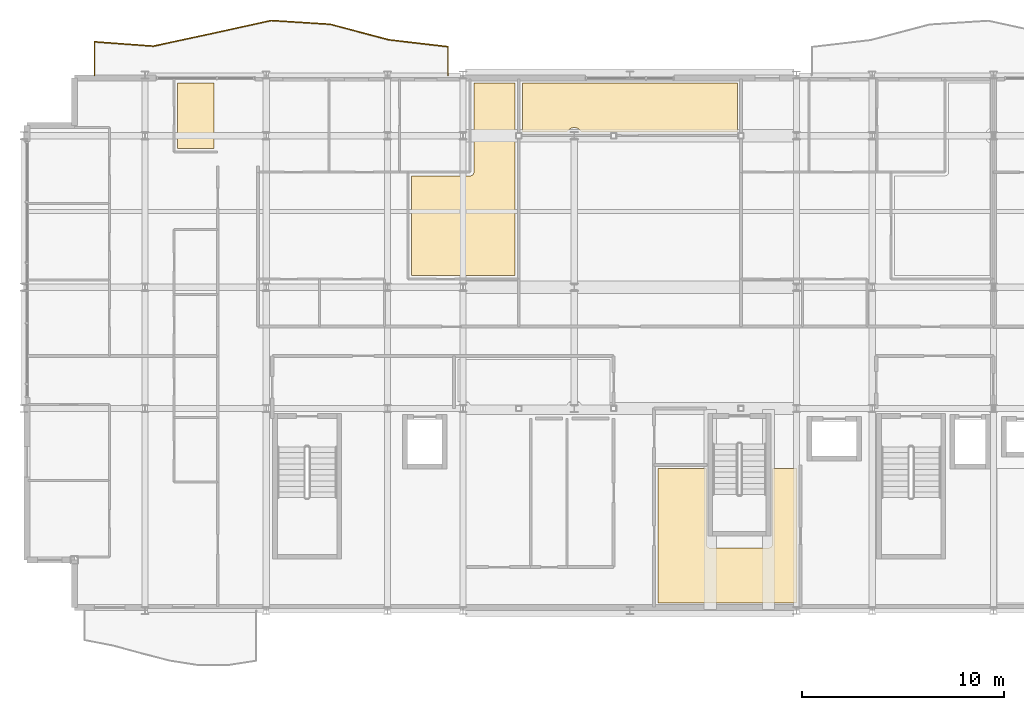
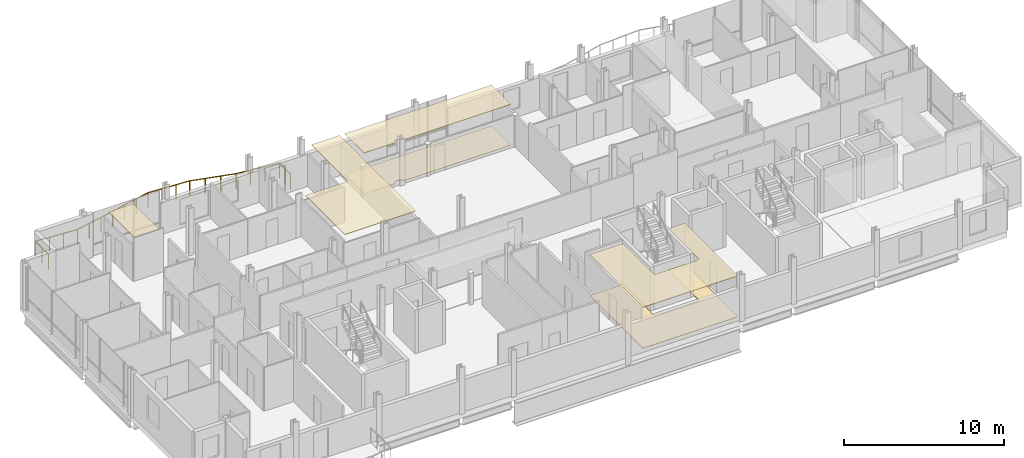
# One storey, part 33 of 35: 6 coverings, 1 railing.
"""IFC4 building model written with IfcOpenShell, lengths in metres."""

from ifc_helpers import new_model, si_unit, direction, frame, origin, origin_2d, place, context, subcontext, project, spatial, polyline, circle, outline, extrude, material, layer, layer_set, type_object, element, save


model = new_model("IFC4")

# Units and contexts
model_context = context("Model", 3, precision=1e-05, world=origin(), true_north=direction((0.0, 1.0)))
body_context = subcontext(model_context, "Body", "Model", "MODEL_VIEW")
ifc_project = project(units=[si_unit("LENGTHUNIT", "METRE"), si_unit("AREAUNIT", "SQUARE_METRE"), si_unit("VOLUMEUNIT", "CUBIC_METRE"), si_unit("PLANEANGLEUNIT", "RADIAN"), si_unit("MASSUNIT", "GRAM", prefix="KILO")], contexts=[model_context])

# Site, building, storey
site_placement = place(None, origin())
site = spatial("IfcSite", under=ifc_project, at=site_placement, CompositionType="ELEMENT")
building_placement = place(site_placement, origin())
building = spatial("IfcBuilding", under=site, at=building_placement, Name="Brevholm Reach", CompositionType="ELEMENT")
storey_placement = place(building_placement, frame((0.0, 0.0, 214.39990234375)))
storey = spatial("IfcBuildingStorey", under=building, at=storey_placement, Name="L65", CompositionType="ELEMENT", Elevation=214.39990234375)

# Coverings
ifc_material_1 = material(Name="Perforated Mineral-Fibre Class-A Acoustic Suspended Ceiling", Category="gypsum")
ifc_layer_1 = layer(ifc_material_1, 0.044921875)
ifc_layer_set_1 = layer_set([ifc_layer_1], Name="Perforated Mineral-Fibre Class-A Acoustic Suspended Ceiling")
covering_type_1 = type_object("IfcCoveringType", Name="COV-CLG-AC", PredefinedType="CEILING", material=ifc_layer_set_1)
covering_1_placement = place(storey_placement, frame((0.0, 0.0, 3.114990234375)))
element("IfcCovering", 1, at=covering_1_placement, inside=storey, type_object=covering_type_1, Name="L65 Suspended Ceiling L65-45", PredefinedType="CEILING", context=body_context, shape_type="SweptSolid", body=[
    extrude(outline(polyline([(19.195068359375, 21.51611328125), (22.1025390625, 21.516845703125), (22.1201171875, 21.517822265625), (22.1376953125, 21.5205078125), (22.15478515625, 21.524658203125), (22.17138671875, 21.530517578125), (22.1875, 21.5380859375), (22.202392578125, 21.547119140625), (22.216796875, 21.557861328125), (22.229736328125, 21.569580078125), (22.24169921875, 21.582763671875), (22.252197265625, 21.596923828125), (22.26123046875, 21.612060546875), (22.268798828125, 21.6279296875), (22.274658203125, 21.64453125), (22.279052734375, 21.66162109375), (22.281494140625, 21.67919921875), (22.282470703125, 21.69677734375), (22.283935546875, 26.1201171875), (24.320068359375, 26.1201171875), (24.320068359375, 16.580078125), (19.195068359375, 16.580078125), (19.195068359375, 21.51611328125)])), origin(), (0.0, 0.0, 1.0), 0.045166015625),
])
ifc_material_2 = material(Name="Moisture-Resistant Skimmed Gypsum Plasterboard Ceiling", Category="gypsum")
ifc_layer_2 = layer(ifc_material_2, 0.030029296875)
ifc_layer_set_2 = layer_set([ifc_layer_2], Name="Moisture-Resistant Skimmed Gypsum Plasterboard Ceiling")
covering_type_2 = type_object("IfcCoveringType", Name="COV-CLG-GYP", PredefinedType="CEILING", material=ifc_layer_set_2)
covering_2_placement = place(storey_placement, frame((0.0, 0.0, 3.130126953125)))
element("IfcCovering", 2, at=covering_2_placement, inside=storey, type_object=covering_type_2, Name="L65 Suspended Ceiling L65-14", PredefinedType="CEILING", context=body_context, shape_type="SweptSolid", body=[
    extrude(outline(polyline([(33.7958984375, 7.02001953125), (33.7958984375, 3.280029296875), (33.796875, 3.262451171875), (33.799560546875, 3.244873046875), (33.8037109375, 3.227783203125), (33.809814453125, 3.211181640625), (33.8173828125, 3.195068359375), (33.826416015625, 3.179931640625), (33.8369140625, 3.165771484375), (33.8486328125, 3.152587890625), (33.852783203125, 3.148681640625), (33.86572265625, 3.136962890625), (33.8798828125, 3.126220703125), (33.895263671875, 3.1171875), (33.9111328125, 3.109619140625), (33.927734375, 3.103759765625), (33.94482421875, 3.099609375), (33.96240234375, 3.096923828125), (33.97998046875, 3.095947265625), (36.87255859375, 3.096923828125), (36.89013671875, 3.097900390625), (36.90771484375, 3.100341796875), (36.9248046875, 3.104736328125), (36.94140625, 3.110595703125), (36.95751953125, 3.1181640625), (36.972412109375, 3.127197265625), (36.98681640625, 3.1376953125), (36.999755859375, 3.149658203125), (37.01171875, 3.16259765625), (37.022216796875, 3.177001953125), (37.03125, 3.19189453125), (37.038818359375, 3.2080078125), (37.044677734375, 3.224609375), (37.049072265625, 3.24169921875), (37.051513671875, 3.25927734375), (37.052490234375, 3.27685546875), (37.053955078125, 7.02001953125), (38.27001953125, 7.02001953125), (38.27001953125, 0.39892578125), (38.25, 0.39990234375), (38.210693359375, 0.398193359375), (38.172119140625, 0.392333984375), (38.1337890625, 0.3828125), (38.096923828125, 0.36962890625), (38.07666015625, 0.360107421875), (31.384033203125, 0.360107421875), (31.384033203125, 7.02001953125), (33.7958984375, 7.02001953125)])), origin(), (0.0, 0.0, 1.0), 0.030029296875),
])
covering_3_placement = place(storey_placement, frame((0.0, 0.0, 3.130126953125)))
element("IfcCovering", 3, at=covering_3_placement, inside=storey, type_object=covering_type_2, Name="L65 Suspended Ceiling L65-33", PredefinedType="CEILING", context=body_context, shape_type="SweptSolid", body=[
    extrude(outline(polyline([(7.617919921875, 26.1201171875), (9.419921875, 26.1201171875), (9.419921875, 22.8798828125), (7.617919921875, 22.8798828125), (7.617919921875, 26.1201171875)])), origin(), (0.0, 0.0, 1.0), 0.030029296875),
])
covering_4_placement = place(storey_placement, frame((0.0, 0.0, 3.130126953125)))
element("IfcCovering", 4, at=covering_4_placement, inside=storey, type_object=covering_type_2, Name="L65 Suspended Ceiling L65-48", PredefinedType="CEILING", context=body_context, shape_type="SweptSolid", body=[
    extrude(outline(polyline([(29.876220703125, 26.1201171875), (29.8837890625, 26.1171875), (29.922119140625, 26.107666015625), (29.960693359375, 26.101806640625), (30.0, 26.10009765625), (30.039306640625, 26.101806640625), (30.077880859375, 26.107666015625), (30.1162109375, 26.1171875), (30.123779296875, 26.1201171875), (35.320068359375, 26.1201171875), (35.320068359375, 23.68408203125), (27.60498046875, 23.68408203125), (27.602783203125, 23.688720703125), (27.58251953125, 23.72216796875), (27.55908203125, 23.75390625), (27.53271484375, 23.78271484375), (27.50390625, 23.80908203125), (27.47216796875, 23.83251953125), (27.438720703125, 23.852783203125), (27.403076171875, 23.86962890625), (27.3662109375, 23.8828125), (27.327880859375, 23.892333984375), (27.289306640625, 23.898193359375), (27.25, 23.89990234375), (27.210693359375, 23.898193359375), (27.172119140625, 23.892333984375), (27.1337890625, 23.8828125), (27.096923828125, 23.86962890625), (27.061279296875, 23.852783203125), (27.02783203125, 23.83251953125), (26.99609375, 23.80908203125), (26.96728515625, 23.78271484375), (26.94091796875, 23.75390625), (26.91748046875, 23.72216796875), (26.897216796875, 23.688720703125), (26.89501953125, 23.68408203125), (24.68408203125, 23.68408203125), (24.68408203125, 26.1201171875), (29.876220703125, 26.1201171875)])), origin(), (0.0, 0.0, 1.0), 0.030029296875),
])
ifc_material_3 = material(Name="Honed Portland-Aggregate Resin Terrazzo Flooring", Category="concrete")
ifc_layer_3 = layer(ifc_material_3, 0.031982421875)
ifc_layer_set_3 = layer_set([ifc_layer_3], Name="Honed Portland-Aggregate Resin Terrazzo Flooring")
covering_type_3 = type_object("IfcCoveringType", Name="COV-FLR-TRZ", PredefinedType="FLOORING", material=ifc_layer_set_3)
covering_5_placement = place(storey_placement, origin())
element("IfcCovering", 5, at=covering_5_placement, inside=storey, type_object=covering_type_3, Name="L65 Floor Finish L65-14", PredefinedType="FLOORING", context=body_context, shape_type="SweptSolid", body=[
    extrude(outline(polyline([(33.7958984375, 7.02001953125), (33.7958984375, 3.280029296875), (33.796875, 3.262451171875), (33.799560546875, 3.244873046875), (33.8037109375, 3.227783203125), (33.809814453125, 3.211181640625), (33.8173828125, 3.195068359375), (33.826416015625, 3.179931640625), (33.8369140625, 3.165771484375), (33.8486328125, 3.152587890625), (33.852783203125, 3.148681640625), (33.86572265625, 3.136962890625), (33.8798828125, 3.126220703125), (33.895263671875, 3.1171875), (33.9111328125, 3.109619140625), (33.927734375, 3.103759765625), (33.94482421875, 3.099609375), (33.96240234375, 3.096923828125), (33.97998046875, 3.095947265625), (36.87255859375, 3.096923828125), (36.89013671875, 3.097900390625), (36.90771484375, 3.100341796875), (36.9248046875, 3.104736328125), (36.94140625, 3.110595703125), (36.95751953125, 3.1181640625), (36.972412109375, 3.127197265625), (36.98681640625, 3.1376953125), (36.999755859375, 3.149658203125), (37.01171875, 3.16259765625), (37.022216796875, 3.177001953125), (37.03125, 3.19189453125), (37.038818359375, 3.2080078125), (37.044677734375, 3.224609375), (37.049072265625, 3.24169921875), (37.051513671875, 3.25927734375), (37.052490234375, 3.27685546875), (37.053955078125, 7.02001953125), (38.27001953125, 7.02001953125), (38.27001953125, 0.39892578125), (38.25, 0.39990234375), (38.210693359375, 0.398193359375), (38.172119140625, 0.392333984375), (38.1337890625, 0.3828125), (38.096923828125, 0.36962890625), (38.07666015625, 0.360107421875), (31.384033203125, 0.360107421875), (31.384033203125, 7.02001953125), (33.7958984375, 7.02001953125)])), origin(), (0.0, 0.0, 1.0), 0.031982421875),
])
covering_6_placement = place(storey_placement, origin())
element("IfcCovering", 6, at=covering_6_placement, inside=storey, type_object=covering_type_3, Name="L65 Floor Finish L65-48", PredefinedType="FLOORING", context=body_context, shape_type="SweptSolid", body=[
    extrude(outline(polyline([(29.876220703125, 26.1201171875), (29.8837890625, 26.1171875), (29.922119140625, 26.107666015625), (29.960693359375, 26.101806640625), (30.0, 26.10009765625), (30.039306640625, 26.101806640625), (30.077880859375, 26.107666015625), (30.1162109375, 26.1171875), (30.123779296875, 26.1201171875), (35.320068359375, 26.1201171875), (35.320068359375, 23.68408203125), (27.60498046875, 23.68408203125), (27.602783203125, 23.688720703125), (27.58251953125, 23.72216796875), (27.55908203125, 23.75390625), (27.53271484375, 23.78271484375), (27.50390625, 23.80908203125), (27.47216796875, 23.83251953125), (27.438720703125, 23.852783203125), (27.403076171875, 23.86962890625), (27.3662109375, 23.8828125), (27.327880859375, 23.892333984375), (27.289306640625, 23.898193359375), (27.25, 23.89990234375), (27.210693359375, 23.898193359375), (27.172119140625, 23.892333984375), (27.1337890625, 23.8828125), (27.096923828125, 23.86962890625), (27.061279296875, 23.852783203125), (27.02783203125, 23.83251953125), (26.99609375, 23.80908203125), (26.96728515625, 23.78271484375), (26.94091796875, 23.75390625), (26.91748046875, 23.72216796875), (26.897216796875, 23.688720703125), (26.89501953125, 23.68408203125), (24.68408203125, 23.68408203125), (24.68408203125, 26.1201171875), (29.876220703125, 26.1201171875)])), origin(), (0.0, 0.0, 1.0), 0.031982421875),
])

# Railing
ifc_material_4 = material(Name="Brushed Stainless Steel EN 1.4401 and Laminated Glass", Category="steel")
railing_type = type_object("IfcRailingType", Name="RAL-BALC-1150", PredefinedType="BALUSTRADE", material=ifc_material_4)
railing_placement = place(storey_placement, frame((21.0, 26.5, 0.0)))
element("IfcRailing", 7, at=railing_placement, inside=storey, type_object=railing_type, Name="L65 Guard Balustrade RAL-L65-BAL-NW", PredefinedType="BALUSTRADE", context=body_context, shape_type="SweptSolid", body=[
    extrude(circle(Radius=0.02392578125, at=origin_2d()), frame((0.0, 0.0, 1.1259765625), z_axis=(0.0, 1.0, 0.0), x_axis=(-1.0, 0.0, 0.0)), (0.0, 0.0, 1.0), 1.408203125),
    extrude(circle(Radius=0.02392578125, at=origin_2d()), frame((0.0, 1.408203125, 1.1259765625), z_axis=(-0.99329006652, 0.11564965954, 0.0), x_axis=(-0.11564965954, -0.99329006652, 0.0)), (0.0, 0.0, 1.0), 2.9365234375),
    extrude(circle(Radius=0.02392578125, at=origin_2d()), frame((-2.916748046875, 1.747802734375, 1.1259765625), z_axis=(-0.966868735292, 0.255274065889, 0.0), x_axis=(-0.255274065889, -0.966868735292, 0.0)), (0.0, 0.0, 1.0), 3.016357421875),
    extrude(circle(Radius=0.02392578125, at=origin_2d()), frame((-5.833251953125, 2.517822265625, 1.1259765625), z_axis=(-0.997945514781, 0.06406831923, 0.0), x_axis=(-0.06406831923, -0.997945514781, 0.0)), (0.0, 0.0, 1.0), 2.9228515625),
    extrude(circle(Radius=0.02392578125, at=origin_2d()), frame((-8.75, 2.705078125, 1.1259765625), z_axis=(-0.976633143635, -0.214913244715, 0.0), x_axis=(0.214913244715, -0.976633143635, 0.0)), (0.0, 0.0, 1.0), 2.986572265625),
    extrude(circle(Radius=0.02392578125, at=origin_2d()), frame((-11.666748046875, 2.063232421875, 1.1259765625), z_axis=(-0.977699293222, -0.21000974271, 0.0), x_axis=(0.21000974271, -0.977699293222, 0.0)), (0.0, 0.0, 1.0), 2.98291015625),
    extrude(circle(Radius=0.02392578125, at=origin_2d()), frame((-14.583251953125, 1.436767578125, 1.1259765625), z_axis=(-0.997334760815, 0.072961461535, 0.0), x_axis=(-0.072961461535, -0.997334760815, 0.0)), (0.0, 0.0, 1.0), 2.924560546875),
    extrude(circle(Radius=0.02392578125, at=origin_2d()), frame((-17.5, 1.650146484375, 1.1259765625), z_axis=(0.0, -1.0, 0.0), x_axis=(1.0, 0.0, 0.0)), (0.0, 0.0, 1.0), 1.650146484375),
    extrude(circle(Radius=0.02099609375, at=origin_2d()), origin(), (0.0, 0.0, 1.0), 1.101806640625),
    extrude(circle(Radius=0.02099609375, at=origin_2d()), frame((0.0, 0.7041015625, 0.0)), (0.0, 0.0, 1.0), 1.101806640625),
    extrude(circle(Radius=0.02099609375, at=origin_2d()), frame((0.0, 1.408203125, 0.0)), (0.0, 0.0, 1.0), 1.101806640625),
    extrude(circle(Radius=0.02099609375, at=origin_2d()), frame((-0.97216796875, 1.521484375, 0.0)), (0.0, 0.0, 1.0), 1.101806640625),
    extrude(circle(Radius=0.02099609375, at=origin_2d()), frame((-1.944580078125, 1.634521484375, 0.0)), (0.0, 0.0, 1.0), 1.101806640625),
    extrude(circle(Radius=0.02099609375, at=origin_2d()), frame((-2.916748046875, 1.747802734375, 0.0)), (0.0, 0.0, 1.0), 1.101806640625),
    extrude(circle(Radius=0.02099609375, at=origin_2d()), frame((-3.888916015625, 2.00439453125, 0.0)), (0.0, 0.0, 1.0), 1.101806640625),
    extrude(circle(Radius=0.02099609375, at=origin_2d()), frame((-4.861083984375, 2.26123046875, 0.0)), (0.0, 0.0, 1.0), 1.101806640625),
    extrude(circle(Radius=0.02099609375, at=origin_2d()), frame((-5.833251953125, 2.517822265625, 0.0)), (0.0, 0.0, 1.0), 1.101806640625),
    extrude(circle(Radius=0.02099609375, at=origin_2d()), frame((-6.805419921875, 2.580322265625, 0.0)), (0.0, 0.0, 1.0), 1.101806640625),
    extrude(circle(Radius=0.02099609375, at=origin_2d()), frame((-7.77783203125, 2.642578125, 0.0)), (0.0, 0.0, 1.0), 1.101806640625),
    extrude(circle(Radius=0.02099609375, at=origin_2d()), frame((-8.75, 2.705078125, 0.0)), (0.0, 0.0, 1.0), 1.101806640625),
    extrude(circle(Radius=0.02099609375, at=origin_2d()), frame((-9.72216796875, 2.4912109375, 0.0)), (0.0, 0.0, 1.0), 1.101806640625),
    extrude(circle(Radius=0.02099609375, at=origin_2d()), frame((-10.694580078125, 2.277099609375, 0.0)), (0.0, 0.0, 1.0), 1.101806640625),
    extrude(circle(Radius=0.02099609375, at=origin_2d()), frame((-11.666748046875, 2.063232421875, 0.0)), (0.0, 0.0, 1.0), 1.101806640625),
    extrude(circle(Radius=0.02099609375, at=origin_2d()), frame((-12.638916015625, 1.8544921875, 0.0)), (0.0, 0.0, 1.0), 1.101806640625),
    extrude(circle(Radius=0.02099609375, at=origin_2d()), frame((-13.611083984375, 1.6455078125, 0.0)), (0.0, 0.0, 1.0), 1.101806640625),
    extrude(circle(Radius=0.02099609375, at=origin_2d()), frame((-14.583251953125, 1.436767578125, 0.0)), (0.0, 0.0, 1.0), 1.101806640625),
    extrude(circle(Radius=0.02099609375, at=origin_2d()), frame((-15.555419921875, 1.5078125, 0.0)), (0.0, 0.0, 1.0), 1.101806640625),
    extrude(circle(Radius=0.02099609375, at=origin_2d()), frame((-16.52783203125, 1.5791015625, 0.0)), (0.0, 0.0, 1.0), 1.101806640625),
    extrude(circle(Radius=0.02099609375, at=origin_2d()), frame((-17.5, 1.650146484375, 0.0)), (0.0, 0.0, 1.0), 1.101806640625),
    extrude(circle(Radius=0.02099609375, at=origin_2d()), frame((-17.5, 0.8251953125, 0.0)), (0.0, 0.0, 1.0), 1.101806640625),
    extrude(circle(Radius=0.02099609375, at=origin_2d()), frame((-17.5, 0.0, 0.0)), (0.0, 0.0, 1.0), 1.101806640625),
])

save(model, "model.ifc")
